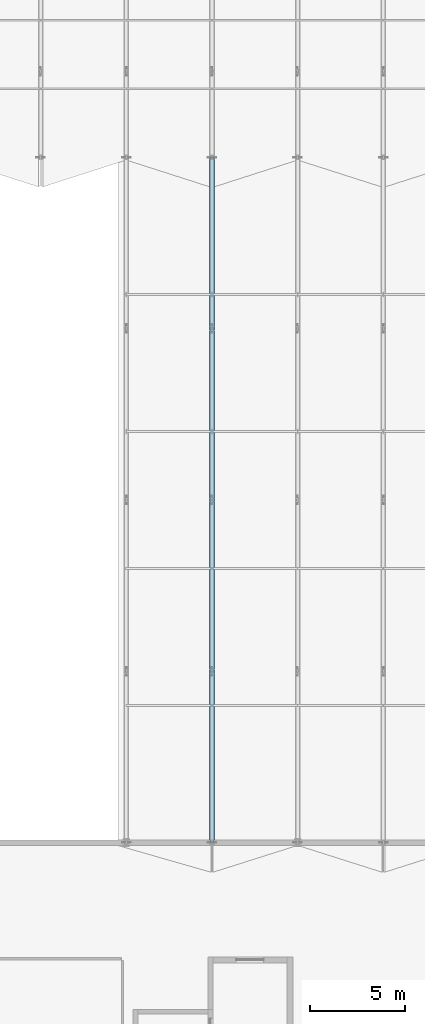
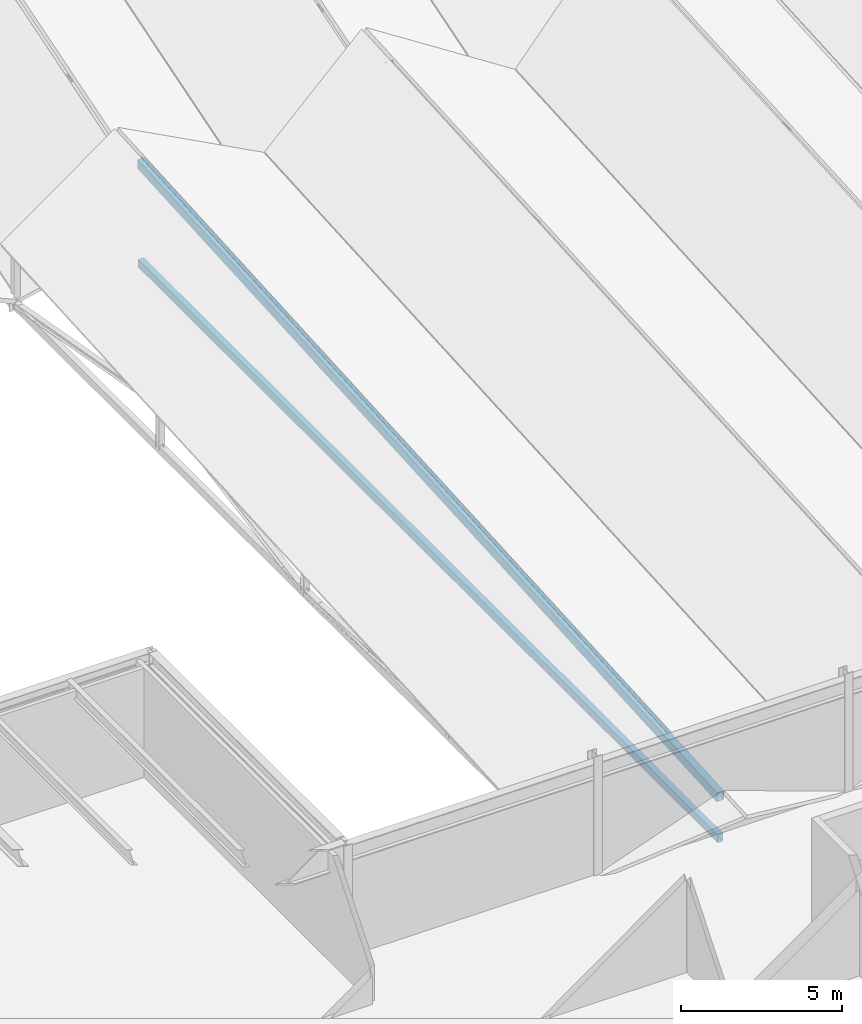
# One storey, part 31 of 142: 2 members.
"""IFC4 building model written with IfcOpenShell, lengths in metres."""

from ifc_helpers import new_model, si_unit, direction, frame, origin, origin_2d, place, context, subcontext, project, spatial, hollow_rectangle, extrude, material, material_profile, profile_set, type_object, element, save


model = new_model("IFC4")

# Units and contexts
model_context = context("Model", 3, precision=1e-05, world=origin(), true_north=direction((0.0, 1.0)))
body_context = subcontext(model_context, "Body", "Model", "MODEL_VIEW")
ifc_project = project(units=[si_unit("LENGTHUNIT", "METRE"), si_unit("AREAUNIT", "SQUARE_METRE"), si_unit("VOLUMEUNIT", "CUBIC_METRE"), si_unit("PLANEANGLEUNIT", "RADIAN"), si_unit("MASSUNIT", "GRAM", prefix="KILO")], contexts=[model_context])

# Site, building, storey
site_placement = place(None, origin())
site = spatial("IfcSite", under=ifc_project, at=site_placement, CompositionType="ELEMENT")
building_placement = place(site_placement, origin())
building = spatial("IfcBuilding", under=site, at=building_placement, Name="Montelvaro Courts of Justice", CompositionType="ELEMENT")
storey_placement = place(building_placement, frame((0.0, 0.0, 14.39990234375)))
storey = spatial("IfcBuildingStorey", under=building, at=storey_placement, Name="L03", CompositionType="ELEMENT", Elevation=14.39990234375)

# Members
ifc_material = material(Name="Steel S355", Category="steel")
ifc_material_profile_1 = material_profile(ifc_material, hollow_rectangle(XDim=0.199951171875, YDim=0.300048828125, WallThickness=0.012451171875, at=origin_2d()), Name="RHS 300x200x12.5")
ifc_profile_set_1 = profile_set([ifc_material_profile_1], Name="Steel S355")
member_type_1 = type_object("IfcMemberType", Name="Mem_RHS300_Chord", PredefinedType="CHORD", material=ifc_profile_set_1)
member_1_placement = place(storey_placement, frame((58.5, 42.0, -0.2998046875), z_axis=(0.0, 1.0, 0.0), x_axis=(-1.0, 0.0, 0.0)))
element("IfcMember", 1, at=member_1_placement, inside=storey, type_object=member_type_1, Name="Roof Truss ROOF-PASSAGE-RTR01 Bottom Chord", PredefinedType="CHORD", context=body_context, shape_type="SweptSolid", body=[
    extrude(hollow_rectangle(XDim=0.199951171875, YDim=0.300048828125, WallThickness=0.012451171875, at=origin_2d()), origin(), (0.0, 0.0, 1.0), 36.0),
])
ifc_material_profile_2 = material_profile(ifc_material, hollow_rectangle(XDim=0.25, YDim=0.35009765625, WallThickness=0.012451171875, at=origin_2d()), Name="RHS 350x250x12.5")
ifc_profile_set_2 = profile_set([ifc_material_profile_2], Name="Steel S355")
member_type_2 = type_object("IfcMemberType", Name="Mem_RHS350_Chord", PredefinedType="CHORD", material=ifc_profile_set_2)
member_2_placement = place(storey_placement, frame((58.5, 42.0, 1.280029296875), z_axis=(0.0, 0.998138012374, 0.060995969167), x_axis=(-1.0, 0.0, 0.0)))
element("IfcMember", 2, at=member_2_placement, inside=storey, type_object=member_type_2, Name="Roof Truss ROOF-PASSAGE-RTR01 Top Chord", PredefinedType="CHORD", context=body_context, shape_type="SweptSolid", body=[
    extrude(hollow_rectangle(XDim=0.25, YDim=0.35009765625, WallThickness=0.012451171875, at=origin_2d()), origin(), (0.0, 0.0, 1.0), 36.067138671875),
])

save(model, "model.ifc")
